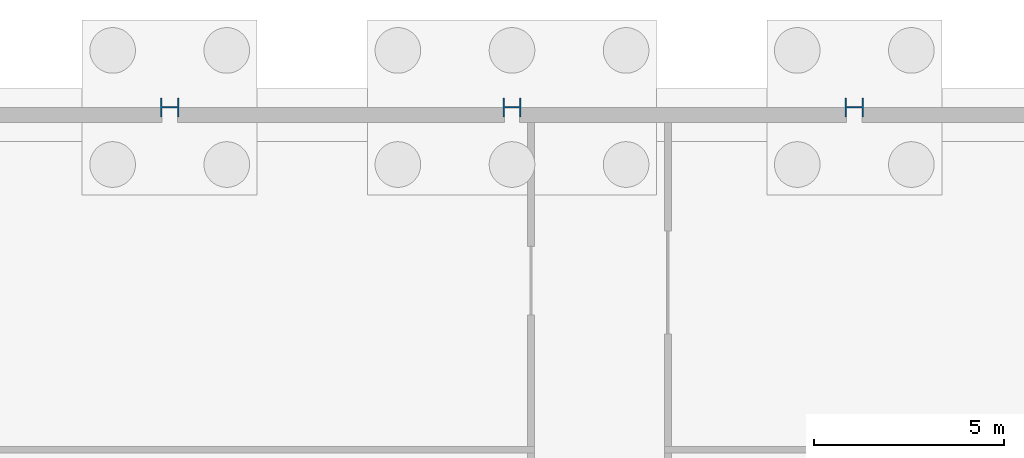
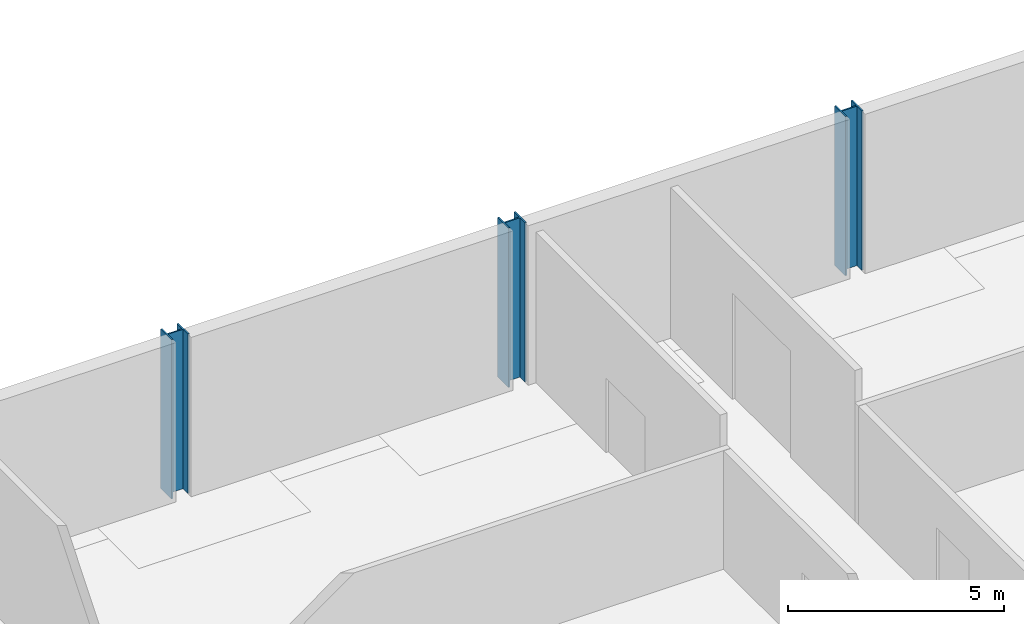
# One storey, part 6 of 41: 3 columns.
"""IFC4 building model written with IfcOpenShell, lengths in metres."""

from ifc_helpers import new_model, si_unit, direction, frame, origin, origin_2d, place, context, subcontext, project, spatial, i_section, extrude, material, material_profile, profile_set, type_object, element, save


model = new_model("IFC4")

# Units and contexts
model_context = context("Model", 3, precision=1e-05, world=origin(), true_north=direction((0.0, 1.0)))
body_context = subcontext(model_context, "Body", "Model", "MODEL_VIEW")
ifc_project = project(units=[si_unit("LENGTHUNIT", "METRE"), si_unit("AREAUNIT", "SQUARE_METRE"), si_unit("VOLUMEUNIT", "CUBIC_METRE"), si_unit("PLANEANGLEUNIT", "RADIAN"), si_unit("MASSUNIT", "GRAM", prefix="KILO")], contexts=[model_context])

# Site, building, storey
site_placement = place(None, origin())
site = spatial("IfcSite", under=ifc_project, at=site_placement, CompositionType="ELEMENT")
building_placement = place(site_placement, origin())
building = spatial("IfcBuilding", under=site, at=building_placement, Name="Corbel Yard City Hall", CompositionType="ELEMENT")
storey_placement = place(building_placement, frame((0.0, 0.0, -4.5)))
storey = spatial("IfcBuildingStorey", under=building, at=storey_placement, Name="B1", CompositionType="ELEMENT", Elevation=-4.5)

# Columns
ifc_material = material(Name="Steel Grade 350", Category="steel")
ifc_material_profile = material_profile(ifc_material, i_section(OverallWidth=0.5, OverallDepth=0.47998046875, WebThickness=0.0400390625, FlangeThickness=0.0400390625, at=origin_2d()), Name="500WC440")
ifc_profile_set = profile_set([ifc_material_profile], Name="Steel Grade 350")
column_type = type_object("IfcColumnType", Name="Column 500WC440", PredefinedType="COLUMN", material=ifc_profile_set)
for number, where, z_axis, x_axis, name in (
    (1, (18.0, 117.0, 0.0), (0.0, 0.0, 1.0), (0.0, 1.0, 0.0), "Column 500WC440 N/3 B1"),
    (2, (27.0, 117.0, 0.0), (0.0, 0.0, 1.0), (0.0, 1.0, 0.0), "Column 500WC440 N/4 B1"),
    (3, (36.0, 117.0, 0.0), (0.0, 0.0, 1.0), (0.0, 1.0, 0.0), "Column 500WC440 N/5 B1"),
):
    element("IfcColumn", number, at=place(storey_placement, frame(where, z_axis=z_axis, x_axis=x_axis)), inside=storey, type_object=column_type, Name=name, PredefinedType="COLUMN", context=body_context, shape_type="SweptSolid", body=[
        extrude(i_section(OverallWidth=0.5, OverallDepth=0.47998046875, WebThickness=0.0400390625, FlangeThickness=0.0400390625, at=origin_2d()), origin(), (0.0, 0.0, 1.0), 4.5),
    ])

save(model, "model.ifc")
